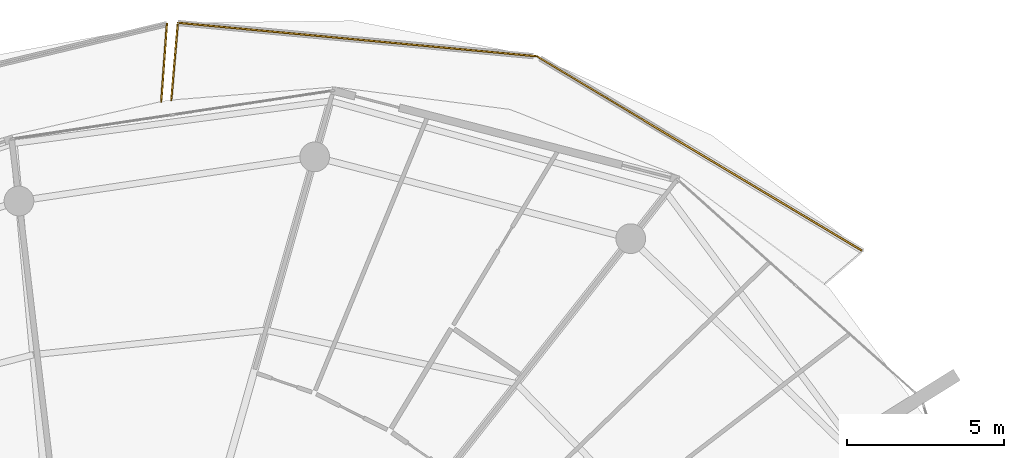
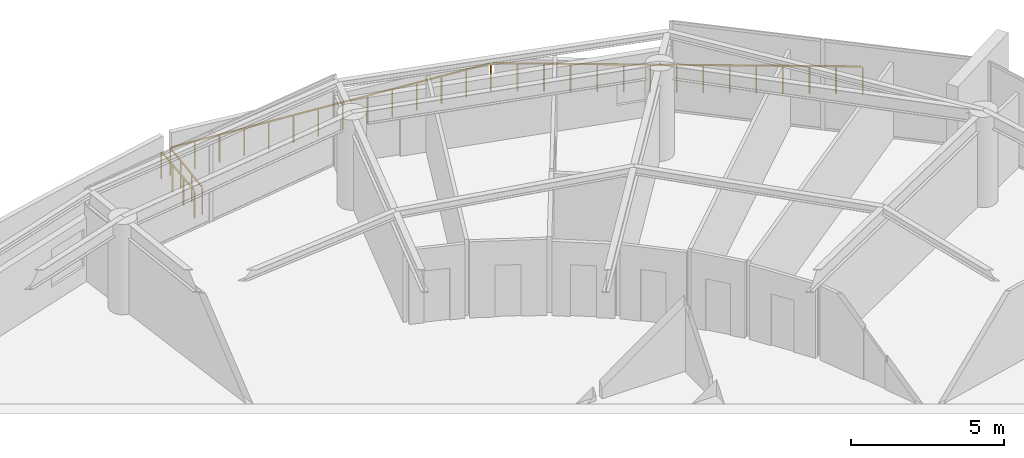
# One storey, part 30 of 30: 4 railings.
"""IFC4 building model written with IfcOpenShell, lengths in metres."""

from ifc_helpers import new_model, si_unit, direction, frame, origin, origin_2d, place, context, subcontext, project, spatial, rectangle, extrude, material, type_object, element, save


model = new_model("IFC4")

# Units and contexts
model_context = context("Model", 3, precision=1e-05, world=origin(), true_north=direction((0.0, 1.0)))
body_context = subcontext(model_context, "Body", "Model", "MODEL_VIEW")
ifc_project = project(units=[si_unit("LENGTHUNIT", "METRE"), si_unit("AREAUNIT", "SQUARE_METRE"), si_unit("VOLUMEUNIT", "CUBIC_METRE"), si_unit("PLANEANGLEUNIT", "RADIAN"), si_unit("MASSUNIT", "GRAM", prefix="KILO")], contexts=[model_context])

# Site, building, storey
site_placement = place(None, origin())
site = spatial("IfcSite", under=ifc_project, at=site_placement, CompositionType="ELEMENT")
building_placement = place(site_placement, origin())
building = spatial("IfcBuilding", under=site, at=building_placement, Name="Kazma Halo Residences", CompositionType="ELEMENT")
storey_placement = place(building_placement, frame((0.0, 0.0, 279.050048828125)))
storey = spatial("IfcBuildingStorey", under=building, at=storey_placement, Name="L70", CompositionType="ELEMENT", Elevation=279.050048828125)

# Railings
ifc_material = material(Name="Aluminium AW-6063 T6 Brushed Cap Rail", Category="aluminium")
railing_type = type_object("IfcRailingType", Name="RLG-BAL-CAP-1120", PredefinedType="BALUSTRADE", material=ifc_material)
railing_1_placement = place(storey_placement, frame((72.251220703125, 62.969970703125, 0.0)))
element("IfcRailing", 1, at=railing_1_placement, inside=storey, type_object=railing_type, Name="L70 NE wave balcony guard 2", PredefinedType="BALUSTRADE", context=body_context, shape_type="SweptSolid", body=[
    extrude(rectangle(XDim=0.050048828125, YDim=0.050048828125, at=origin_2d()), frame((-0.03662109375, 0.021728515625, 1.09521484375), z_axis=(-0.858276045077, 0.513188299211, 0.0), x_axis=(-0.513188299211, -0.858276045077, 0.0)), (0.0, 0.0, 1.0), 12.030517578125),
    extrude(rectangle(XDim=0.0400390625, YDim=0.0400390625, at=origin_2d()), origin(), (0.0, 0.0, 1.0), 1.05810546875),
    extrude(rectangle(XDim=0.0400390625, YDim=0.0400390625, at=origin_2d()), frame((-0.74267578125, 0.444091796875, 0.0)), (0.0, 0.0, 1.0), 1.05810546875),
    extrude(rectangle(XDim=0.0400390625, YDim=0.0400390625, at=origin_2d()), frame((-1.485595703125, 0.88818359375, 0.0)), (0.0, 0.0, 1.0), 1.05810546875),
    extrude(rectangle(XDim=0.0400390625, YDim=0.0400390625, at=origin_2d()), frame((-2.228271484375, 1.332275390625, 0.0)), (0.0, 0.0, 1.0), 1.05810546875),
    extrude(rectangle(XDim=0.0400390625, YDim=0.0400390625, at=origin_2d()), frame((-2.970947265625, 1.7763671875, 0.0)), (0.0, 0.0, 1.0), 1.05810546875),
    extrude(rectangle(XDim=0.0400390625, YDim=0.0400390625, at=origin_2d()), frame((-3.713623046875, 2.220458984375, 0.0)), (0.0, 0.0, 1.0), 1.05810546875),
    extrude(rectangle(XDim=0.0400390625, YDim=0.0400390625, at=origin_2d()), frame((-4.45654296875, 2.66455078125, 0.0)), (0.0, 0.0, 1.0), 1.05810546875),
    extrude(rectangle(XDim=0.0400390625, YDim=0.0400390625, at=origin_2d()), frame((-5.19921875, 3.10888671875, 0.0)), (0.0, 0.0, 1.0), 1.05810546875),
    extrude(rectangle(XDim=0.0400390625, YDim=0.0400390625, at=origin_2d()), frame((-5.94189453125, 3.552978515625, 0.0)), (0.0, 0.0, 1.0), 1.05810546875),
    extrude(rectangle(XDim=0.0400390625, YDim=0.0400390625, at=origin_2d()), frame((-6.684814453125, 3.9970703125, 0.0)), (0.0, 0.0, 1.0), 1.05810546875),
    extrude(rectangle(XDim=0.0400390625, YDim=0.0400390625, at=origin_2d()), frame((-7.427490234375, 4.441162109375, 0.0)), (0.0, 0.0, 1.0), 1.05810546875),
    extrude(rectangle(XDim=0.0400390625, YDim=0.0400390625, at=origin_2d()), frame((-8.170166015625, 4.88525390625, 0.0)), (0.0, 0.0, 1.0), 1.05810546875),
    extrude(rectangle(XDim=0.0400390625, YDim=0.0400390625, at=origin_2d()), frame((-8.912841796875, 5.329345703125, 0.0)), (0.0, 0.0, 1.0), 1.05810546875),
    extrude(rectangle(XDim=0.0400390625, YDim=0.0400390625, at=origin_2d()), frame((-9.65576171875, 5.7734375, 0.0)), (0.0, 0.0, 1.0), 1.05810546875),
    extrude(rectangle(XDim=0.0400390625, YDim=0.0400390625, at=origin_2d()), frame((-10.3984375, 6.217529296875, 0.0)), (0.0, 0.0, 1.0), 1.05810546875),
])
railing_2_placement = place(storey_placement, frame((61.852783203125, 69.1875, 0.0)))
element("IfcRailing", 2, at=railing_2_placement, inside=storey, type_object=railing_type, Name="L70 NE wave balcony guard 3", PredefinedType="BALUSTRADE", context=body_context, shape_type="SweptSolid", body=[
    extrude(rectangle(XDim=0.050048828125, YDim=0.050048828125, at=origin_2d()), frame((-0.042236328125, 0.00390625, 1.09521484375), z_axis=(-0.995673088421, 0.092925244122, 0.0), x_axis=(-0.092925244122, -0.995673088421, 0.0)), (0.0, 0.0, 1.0), 11.419677734375),
    extrude(rectangle(XDim=0.0400390625, YDim=0.0400390625, at=origin_2d()), origin(), (0.0, 0.0, 1.0), 1.05810546875),
    extrude(rectangle(XDim=0.0400390625, YDim=0.0400390625, at=origin_2d()), frame((-0.881103515625, 0.082275390625, 0.0)), (0.0, 0.0, 1.0), 1.05810546875),
    extrude(rectangle(XDim=0.0400390625, YDim=0.0400390625, at=origin_2d()), frame((-1.76220703125, 0.16455078125, 0.0)), (0.0, 0.0, 1.0), 1.05810546875),
    extrude(rectangle(XDim=0.0400390625, YDim=0.0400390625, at=origin_2d()), frame((-2.6435546875, 0.246826171875, 0.0)), (0.0, 0.0, 1.0), 1.05810546875),
    extrude(rectangle(XDim=0.0400390625, YDim=0.0400390625, at=origin_2d()), frame((-3.524658203125, 0.328857421875, 0.0)), (0.0, 0.0, 1.0), 1.05810546875),
    extrude(rectangle(XDim=0.0400390625, YDim=0.0400390625, at=origin_2d()), frame((-4.40576171875, 0.4111328125, 0.0)), (0.0, 0.0, 1.0), 1.05810546875),
    extrude(rectangle(XDim=0.0400390625, YDim=0.0400390625, at=origin_2d()), frame((-5.286865234375, 0.493408203125, 0.0)), (0.0, 0.0, 1.0), 1.05810546875),
    extrude(rectangle(XDim=0.0400390625, YDim=0.0400390625, at=origin_2d()), frame((-6.168212890625, 0.57568359375, 0.0)), (0.0, 0.0, 1.0), 1.05810546875),
    extrude(rectangle(XDim=0.0400390625, YDim=0.0400390625, at=origin_2d()), frame((-7.04931640625, 0.657958984375, 0.0)), (0.0, 0.0, 1.0), 1.05810546875),
    extrude(rectangle(XDim=0.0400390625, YDim=0.0400390625, at=origin_2d()), frame((-7.930419921875, 0.740234375, 0.0)), (0.0, 0.0, 1.0), 1.05810546875),
    extrude(rectangle(XDim=0.0400390625, YDim=0.0400390625, at=origin_2d()), frame((-8.8115234375, 0.822265625, 0.0)), (0.0, 0.0, 1.0), 1.05810546875),
    extrude(rectangle(XDim=0.0400390625, YDim=0.0400390625, at=origin_2d()), frame((-9.69287109375, 0.904541015625, 0.0)), (0.0, 0.0, 1.0), 1.05810546875),
    extrude(rectangle(XDim=0.0400390625, YDim=0.0400390625, at=origin_2d()), frame((-10.573974609375, 0.98681640625, 0.0)), (0.0, 0.0, 1.0), 1.05810546875),
    extrude(rectangle(XDim=0.0400390625, YDim=0.0400390625, at=origin_2d()), frame((-11.455078125, 1.069091796875, 0.0)), (0.0, 0.0, 1.0), 1.05810546875),
])
railing_3_placement = place(storey_placement, frame((50.397705078125, 70.256591796875, 0.0)))
element("IfcRailing", 3, at=railing_3_placement, inside=storey, type_object=railing_type, Name="L70 NE wave balcony guard 4", PredefinedType="BALUSTRADE", context=body_context, shape_type="SweptSolid", body=[
    extrude(rectangle(XDim=0.050048828125, YDim=0.050048828125, at=origin_2d()), frame((-0.003662109375, -0.04248046875, 1.09521484375), z_axis=(-0.084566101323, -0.996417871431, 0.0), x_axis=(0.996417871431, -0.084566101323, 0.0)), (0.0, 0.0, 1.0), 2.38623046875),
    extrude(rectangle(XDim=0.0400390625, YDim=0.0400390625, at=origin_2d()), origin(), (0.0, 0.0, 1.0), 1.05810546875),
    extrude(rectangle(XDim=0.0400390625, YDim=0.0400390625, at=origin_2d()), frame((-0.069580078125, -0.82080078125, 0.0)), (0.0, 0.0, 1.0), 1.05810546875),
    extrude(rectangle(XDim=0.0400390625, YDim=0.0400390625, at=origin_2d()), frame((-0.139404296875, -1.6416015625, 0.0)), (0.0, 0.0, 1.0), 1.05810546875),
    extrude(rectangle(XDim=0.0400390625, YDim=0.0400390625, at=origin_2d()), frame((-0.208984375, -2.46240234375, 0.0)), (0.0, 0.0, 1.0), 1.05810546875),
])
railing_4_placement = place(storey_placement, frame((49.8681640625, 67.74609375, 0.0)))
element("IfcRailing", 4, at=railing_4_placement, inside=storey, type_object=railing_type, Name="L70 NNW wave balcony guard 1", PredefinedType="BALUSTRADE", context=body_context, shape_type="SweptSolid", body=[
    extrude(rectangle(XDim=0.050048828125, YDim=0.050048828125, at=origin_2d()), frame((0.003173828125, 0.04248046875, 1.09521484375), z_axis=(0.072359420263, 0.997378621337, 0.0), x_axis=(-0.997378621337, 0.072359420263, 0.0)), (0.0, 0.0, 1.0), 2.394775390625),
    extrude(rectangle(XDim=0.0400390625, YDim=0.0400390625, at=origin_2d()), origin(), (0.0, 0.0, 1.0), 1.05810546875),
    extrude(rectangle(XDim=0.0400390625, YDim=0.0400390625, at=origin_2d()), frame((0.059814453125, 0.824462890625, 0.0)), (0.0, 0.0, 1.0), 1.05810546875),
    extrude(rectangle(XDim=0.0400390625, YDim=0.0400390625, at=origin_2d()), frame((0.11962890625, 1.64892578125, 0.0)), (0.0, 0.0, 1.0), 1.05810546875),
    extrude(rectangle(XDim=0.0400390625, YDim=0.0400390625, at=origin_2d()), frame((0.179443359375, 2.473388671875, 0.0)), (0.0, 0.0, 1.0), 1.05810546875),
])

save(model, "model.ifc")
